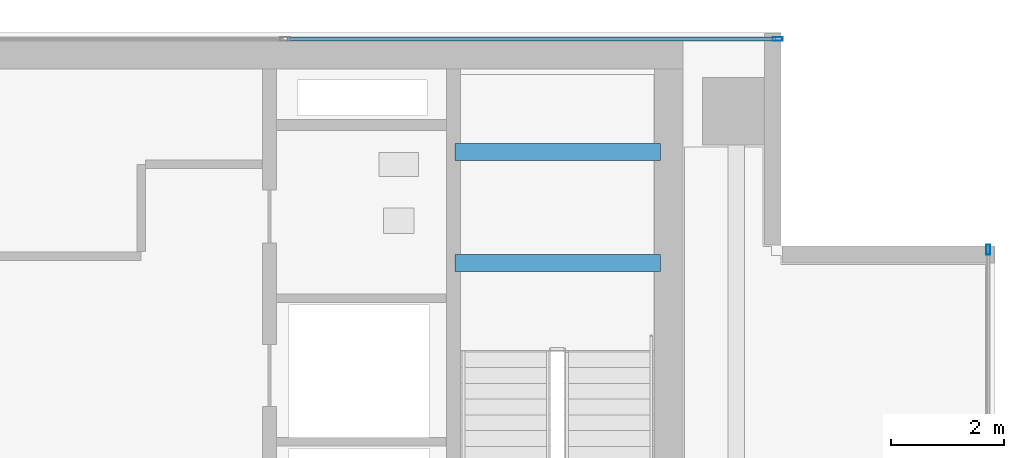
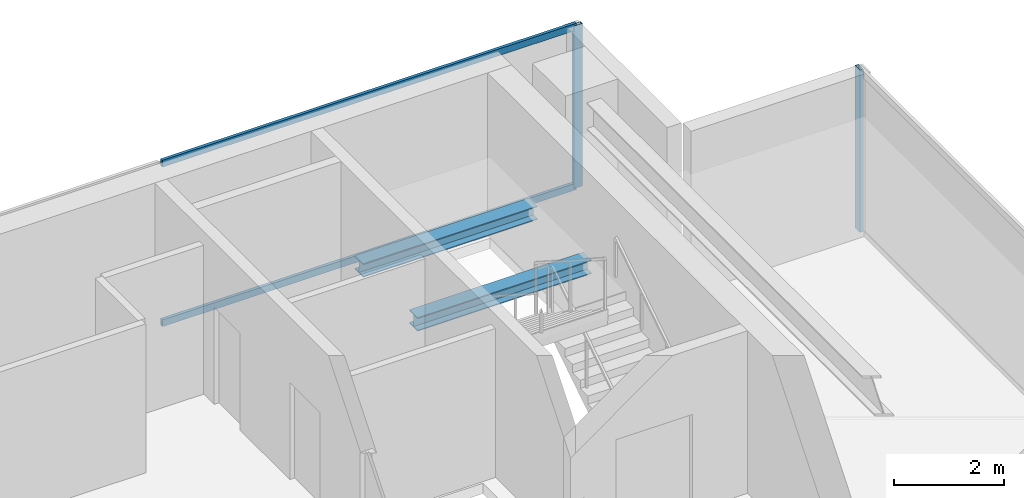
# One storey, part 13 of 21: 4 members, 2 beams, 2 elements without a shape of their own.
"""IFC4 building model written with IfcOpenShell, lengths in metres."""

from ifc_helpers import new_model, si_unit, direction, frame, origin, origin_2d, place, context, subcontext, project, spatial, hollow_rectangle, i_section, extrude, source, transform, mapped, material, layer, layer_set, material_profile, profile_set, type_object, element, aggregate, save


model = new_model("IFC4")

# Units and contexts
model_context = context("Model", 3, precision=1e-05, world=origin(), true_north=direction((0.0, 1.0)))
body_context = subcontext(model_context, "Body", "Model", "MODEL_VIEW")
ifc_project = project(units=[si_unit("LENGTHUNIT", "METRE"), si_unit("AREAUNIT", "SQUARE_METRE"), si_unit("VOLUMEUNIT", "CUBIC_METRE"), si_unit("PLANEANGLEUNIT", "RADIAN"), si_unit("MASSUNIT", "GRAM", prefix="KILO")], contexts=[model_context])

# Site, building, storey
site_placement = place(None, origin())
site = spatial("IfcSite", under=ifc_project, at=site_placement, CompositionType="ELEMENT")
building_placement = place(site_placement, origin())
building = spatial("IfcBuilding", under=site, at=building_placement, Name="Sumidabori Civic Tower", CompositionType="ELEMENT")
storey_placement = place(building_placement, frame((0.0, 0.0, 290.0)))
storey = spatial("IfcBuildingStorey", under=building, at=storey_placement, Name="L76", CompositionType="ELEMENT", Elevation=290.0)

# Beams
ifc_material_1 = material(Name="Steel SN490", Category="steel")
ifc_material_profile_1 = material_profile(ifc_material_1, i_section(OverallWidth=0.300048828125, OverallDepth=0.300048828125, WebThickness=0.010986328125, FlangeThickness=0.01904296875, at=origin_2d()), Name="HE 300 B")
ifc_profile_set_1 = profile_set([ifc_material_profile_1], Name="Steel SN490")
beam_type = type_object("IfcBeamType", Name="BM-LDG-300", PredefinedType="BEAM", material=ifc_profile_set_1)
shared_shape_1 = source(origin(), body_context, "Body", "SweptSolid", [
    extrude(i_section(OverallWidth=0.300048828125, OverallDepth=0.300048828125, WebThickness=0.010986328125, FlangeThickness=0.01904296875, at=origin_2d()), origin(), (0.0, 0.0, 1.0), 3.64990234375),
])
for number, where, z_axis, x_axis, name in (
    (1, (11.800048828125, 20.09765625, 1.449951171875), (1.0, 0.0, 0.0), (0.0, 1.0, 0.0), "Stair ST-2 Landing Support Beam L76-1A"),
    (2, (11.800048828125, 22.069580078125, 1.449951171875), (1.0, 0.0, 0.0), (0.0, 1.0, 0.0), "Stair ST-2 Landing Trimmer Beam L76-1B"),
):
    element("IfcBeam", number, at=place(storey_placement, frame(where, z_axis=z_axis, x_axis=x_axis)), inside=storey, type_object=beam_type, Name=name, PredefinedType="BEAM", context=body_context, shape_type="MappedRepresentation", body=[
        mapped(shared_shape_1, transform((0.0, 0.0, 0.0), x_axis=(1.0, 0.0, 0.0), y_axis=(0.0, 1.0, 0.0), z_axis=(0.0, 0.0, 1.0), scale=1.0)),
    ])

# Curtain wall, members
ifc_material_2 = material(Name="Anodised Bronze Aluminium AW-6063-T6", Category="aluminium")
ifc_layer = layer(ifc_material_2, 0.179931640625, Name="Anodised Bronze Aluminium AW-6063-T6")
ifc_layer_set = layer_set([ifc_layer], Name="Anodised Bronze Aluminium AW-6063-T6")
curtain_wall_type = type_object("IfcCurtainWallType", Name="CW-SYS-6", PredefinedType="NOTDEFINED", material=ifc_layer_set)
curtain_wall_1_placement = place(storey_placement, origin())
curtain_wall_1 = element("IfcCurtainWall", 3, at=curtain_wall_1_placement, inside=storey, type_object=curtain_wall_type, Name="Curtain Wall CW:L76:R07", PredefinedType="NOTDEFINED")
ifc_material_profile_2 = material_profile(ifc_material_2, hollow_rectangle(XDim=0.06494140625, YDim=0.14990234375, WallThickness=0.0048828125, at=origin_2d()), Name="ALU TRANSOM 150x65")
ifc_profile_set_2 = profile_set([ifc_material_profile_2], Name="Anodised Bronze Aluminium AW-6063-T6")
member_type_1 = type_object("IfcMemberType", Name="CW-TRN-150", PredefinedType="USERDEFINED", material=ifc_profile_set_2)
shared_shape_2 = source(origin(), body_context, "Body", "SweptSolid", [
    extrude(hollow_rectangle(XDim=0.06494140625, YDim=0.14990234375, WallThickness=0.0048828125, at=origin_2d()), origin(), (0.0, 0.0, 1.0), 8.679931640625),
])
member_1_placement = place(storey_placement, frame((17.5, 24.080078125, 0.032470703125), z_axis=(-1.0, 0.0, 0.0), x_axis=(0.0, -1.0, 0.0)))
member_1 = element("IfcMember", 4, at=member_1_placement, type_object=member_type_1, Name="CW-6 transom 1.1", ObjectType="TRANSOM", PredefinedType="USERDEFINED", context=body_context, shape_type="MappedRepresentation", body=[
    mapped(shared_shape_2, transform((0.0, 0.0, 0.0), x_axis=(1.0, 0.0, 0.0), y_axis=(0.0, 1.0, 0.0), z_axis=(0.0, 0.0, 1.0), scale=1.0)),
])
member_2_placement = place(storey_placement, frame((17.5, 24.080078125, 3.5673828125), z_axis=(-1.0, 0.0, 0.0), x_axis=(0.0, -1.0, 0.0)))
member_2 = element("IfcMember", 5, at=member_2_placement, type_object=member_type_1, Name="CW-6 transom 1.2", ObjectType="TRANSOM", PredefinedType="USERDEFINED", context=body_context, shape_type="MappedRepresentation", body=[
    mapped(shared_shape_2, transform((0.0, 0.0, 0.0), x_axis=(1.0, 0.0, 0.0), y_axis=(0.0, 1.0, 0.0), z_axis=(0.0, 0.0, 1.0), scale=1.0)),
])

# Curtain wall, member
curtain_wall_2_placement = place(storey_placement, origin())
curtain_wall_2 = element("IfcCurtainWall", 6, at=curtain_wall_2_placement, inside=storey, type_object=curtain_wall_type, Name="Curtain Wall CW:L76:R04", PredefinedType="NOTDEFINED")
ifc_material_profile_3 = material_profile(ifc_material_2, hollow_rectangle(XDim=0.070068359375, YDim=0.179931640625, WallThickness=0.006103515625, at=origin_2d()), Name="ALU MULLION 180x70")
ifc_profile_set_3 = profile_set([ifc_material_profile_3], Name="Anodised Bronze Aluminium AW-6063-T6")
member_type_2 = type_object("IfcMemberType", Name="CW-MUL-180", PredefinedType="MULLION", material=ifc_profile_set_3)
shared_shape_3 = source(origin(), body_context, "Body", "SweptSolid", [
    extrude(hollow_rectangle(XDim=0.070068359375, YDim=0.179931640625, WallThickness=0.006103515625, at=origin_2d()), origin(), (0.0, 0.0, 1.0), 3.60009765625),
])
member_3_placement = place(storey_placement, frame((21.280029296875, 20.3349609375, 0.0), z_axis=(0.0, 0.0, 1.0), x_axis=(-1.0, 0.0, 0.0)))
member_3 = element("IfcMember", 7, at=member_3_placement, type_object=member_type_2, Name="CW-6 mullion 5", PredefinedType="MULLION", context=body_context, shape_type="MappedRepresentation", body=[
    mapped(shared_shape_3, transform((0.0, 0.0, 0.0), x_axis=(1.0, 0.0, 0.0), y_axis=(0.0, 1.0, 0.0), z_axis=(0.0, 0.0, 1.0), scale=1.0)),
])
aggregate(curtain_wall_2, [member_3])

# Member
member_4_placement = place(storey_placement, frame((17.534912109375, 24.080078125, 0.0), z_axis=(0.0, 0.0, 1.0), x_axis=(0.0, -1.0, 0.0)))
member_4 = element("IfcMember", 8, at=member_4_placement, type_object=member_type_2, Name="CW-6 mullion 1", PredefinedType="MULLION", context=body_context, shape_type="MappedRepresentation", body=[
    mapped(shared_shape_3, transform((0.0, 0.0, 0.0), x_axis=(1.0, 0.0, 0.0), y_axis=(0.0, 1.0, 0.0), z_axis=(0.0, 0.0, 1.0), scale=1.0)),
])

aggregate(curtain_wall_1, [member_4, member_1, member_2])

save(model, "model.ifc")
